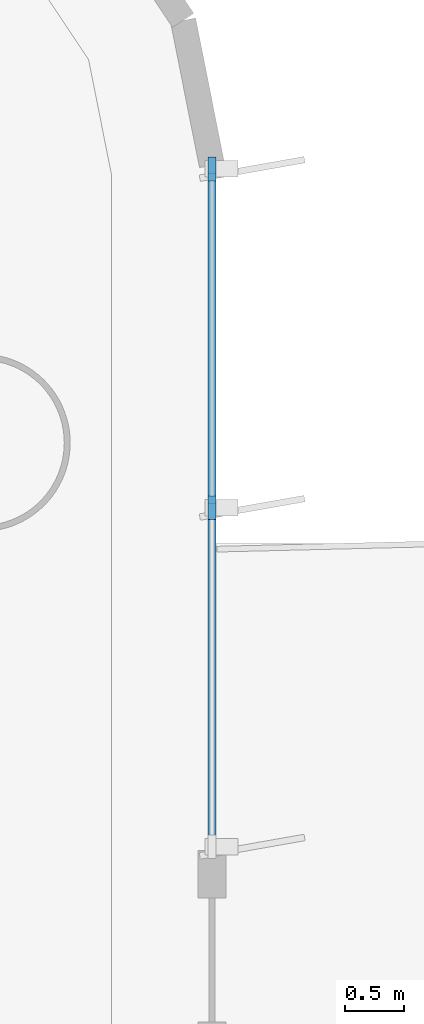
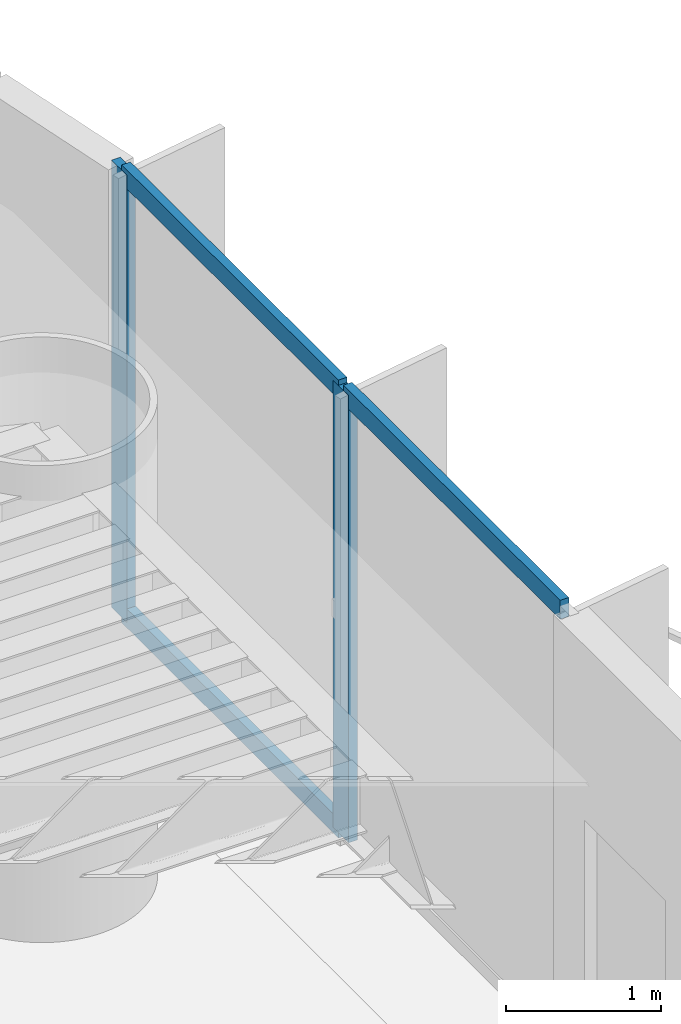
# One storey, part 6 of 16: 5 members, 1 element without a shape of its own.
"""IFC4 building model written with IfcOpenShell, lengths in metres."""

from ifc_helpers import new_model, si_unit, direction, frame, origin, origin_2d, place, context, subcontext, project, spatial, rectangle, extrude, source, transform, mapped, material, layer, layer_set, material_profile, profile_set, type_object, element, aggregate, save


model = new_model("IFC4")

# Units and contexts
model_context = context("Model", 3, precision=1e-05, world=origin(), true_north=direction((0.0, 1.0)))
body_context = subcontext(model_context, "Body", "Model", "MODEL_VIEW")
ifc_project = project(units=[si_unit("LENGTHUNIT", "METRE"), si_unit("AREAUNIT", "SQUARE_METRE"), si_unit("VOLUMEUNIT", "CUBIC_METRE"), si_unit("PLANEANGLEUNIT", "RADIAN"), si_unit("MASSUNIT", "GRAM", prefix="KILO")], contexts=[model_context])

# Site, building, storey
site_placement = place(None, origin())
site = spatial("IfcSite", under=ifc_project, at=site_placement, CompositionType="ELEMENT")
building_placement = place(site_placement, origin())
building = spatial("IfcBuilding", under=site, at=building_placement, Name="Brelvock Crest Care Tower", CompositionType="ELEMENT")
storey_placement = place(building_placement, frame((0.0, 0.0, 57.239990234375)))
storey = spatial("IfcBuildingStorey", under=building, at=storey_placement, Name="L14", CompositionType="ELEMENT", Elevation=57.239990234375)

# Curtain wall, members
ifc_material_1 = material(Name="Dark Glass Double Glazed Low-E", Category="glass")
ifc_layer = layer(ifc_material_1, 0.195068359375, Name="CWS-2")
ifc_layer_set = layer_set([ifc_layer], Name="Dark Glass Double Glazed Low-E")
curtain_wall_type = type_object("IfcCurtainWallType", Name="CWS-2", PredefinedType="NOTDEFINED", material=ifc_layer_set)
curtain_wall_placement = place(storey_placement, origin())
curtain_wall = element("IfcCurtainWall", 1, at=curtain_wall_placement, inside=storey, type_object=curtain_wall_type, Name="L14 Curtain Wall E03A", PredefinedType="NOTDEFINED")
ifc_material_2 = material(Name="Aluminium 6063-T6", Category="aluminium")
ifc_material_profile_1 = material_profile(ifc_material_2, rectangle(XDim=0.06494140625, YDim=0.199951171875, at=origin_2d()), Name="ALU65x200")
ifc_profile_set_1 = profile_set([ifc_material_profile_1], Name="Aluminium 6063-T6")
member_type_1 = type_object("IfcMemberType", Name="CWM-1", PredefinedType="MULLION", material=ifc_profile_set_1)
shared_shape_1 = source(origin(), body_context, "Body", "SweptSolid", [
    extrude(rectangle(XDim=0.06494140625, YDim=0.199951171875, at=origin_2d()), origin(), (0.0, 0.0, 1.0), 3.530029296875),
])
member_1_placement = place(storey_placement, frame((60.0, 32.767578125, 0.0), z_axis=(0.0, 0.0, 1.0), x_axis=(1.0, 0.0, 0.0)))
member_1 = element("IfcMember", 2, at=member_1_placement, type_object=member_type_1, Name="CW-2 mullion 1", PredefinedType="MULLION", context=body_context, shape_type="MappedRepresentation", body=[
    mapped(shared_shape_1, transform((0.0, 0.0, 0.0), x_axis=(1.0, 0.0, 0.0), y_axis=(0.0, 1.0, 0.0), z_axis=(0.0, 0.0, 1.0), scale=1.0)),
])
member_2_placement = place(storey_placement, frame((60.0, 29.89990234375, 0.0), z_axis=(0.0, 0.0, 1.0), x_axis=(1.0, 0.0, 0.0)))
member_2 = element("IfcMember", 3, at=member_2_placement, type_object=member_type_1, Name="CW-2 mullion 2", PredefinedType="MULLION", context=body_context, shape_type="MappedRepresentation", body=[
    mapped(shared_shape_1, transform((0.0, 0.0, 0.0), x_axis=(1.0, 0.0, 0.0), y_axis=(0.0, 1.0, 0.0), z_axis=(0.0, 0.0, 1.0), scale=1.0)),
])
ifc_material_profile_2 = material_profile(ifc_material_2, rectangle(XDim=0.06494140625, YDim=0.14990234375, at=origin_2d()), Name="ALU65x150")
ifc_profile_set_2 = profile_set([ifc_material_profile_2], Name="Aluminium 6063-T6")
member_type_2 = type_object("IfcMemberType", Name="CWT-1", PredefinedType="USERDEFINED", material=ifc_profile_set_2)
shared_shape_2 = source(origin(), body_context, "Body", "SweptSolid", [
    extrude(rectangle(XDim=0.06494140625, YDim=0.14990234375, at=origin_2d()), origin(), (0.0, 0.0, 1.0), 2.802490234375),
])
member_3_placement = place(storey_placement, frame((60.0, 32.735107421875, 0.032470703125), z_axis=(0.0, -1.0, 0.0), x_axis=(1.0, 0.0, 0.0)))
member_3 = element("IfcMember", 4, at=member_3_placement, type_object=member_type_2, Name="CW-2 transom 1.1", ObjectType="TRANSOM", PredefinedType="USERDEFINED", context=body_context, shape_type="MappedRepresentation", body=[
    mapped(shared_shape_2, transform((0.0, 0.0, 0.0), x_axis=(1.0, 0.0, 0.0), y_axis=(0.0, 1.0, 0.0), z_axis=(0.0, 0.0, 1.0), scale=1.0)),
])
member_4_placement = place(storey_placement, frame((60.0, 32.735107421875, 3.49755859375), z_axis=(0.0, -1.0, 0.0), x_axis=(1.0, 0.0, 0.0)))
member_4 = element("IfcMember", 5, at=member_4_placement, type_object=member_type_2, Name="CW-2 transom 1.2", ObjectType="TRANSOM", PredefinedType="USERDEFINED", context=body_context, shape_type="MappedRepresentation", body=[
    mapped(shared_shape_2, transform((0.0, 0.0, 0.0), x_axis=(1.0, 0.0, 0.0), y_axis=(0.0, 1.0, 0.0), z_axis=(0.0, 0.0, 1.0), scale=1.0)),
])
member_5_placement = place(storey_placement, frame((60.0, 29.867431640625, 3.49755859375), z_axis=(0.0, -1.0, 0.0), x_axis=(1.0, 0.0, 0.0)))
member_5 = element("IfcMember", 6, at=member_5_placement, type_object=member_type_2, Name="CW-2 transom 2.2", ObjectType="TRANSOM", PredefinedType="USERDEFINED", context=body_context, shape_type="MappedRepresentation", body=[
    mapped(shared_shape_2, transform((0.0, 0.0, 0.0), x_axis=(1.0, 0.0, 0.0), y_axis=(0.0, 1.0, 0.0), z_axis=(0.0, 0.0, 1.0), scale=1.0)),
])
aggregate(curtain_wall, [member_1, member_2, member_3, member_4, member_5])

save(model, "model.ifc")
